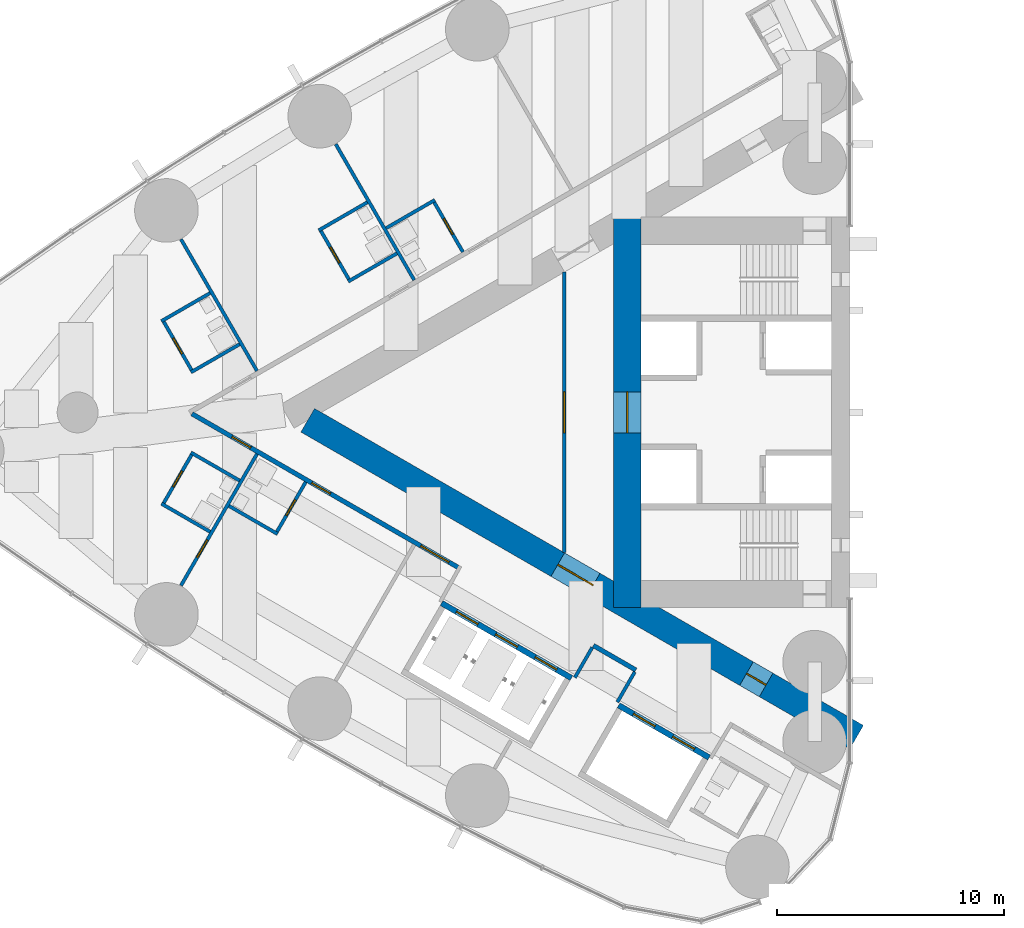
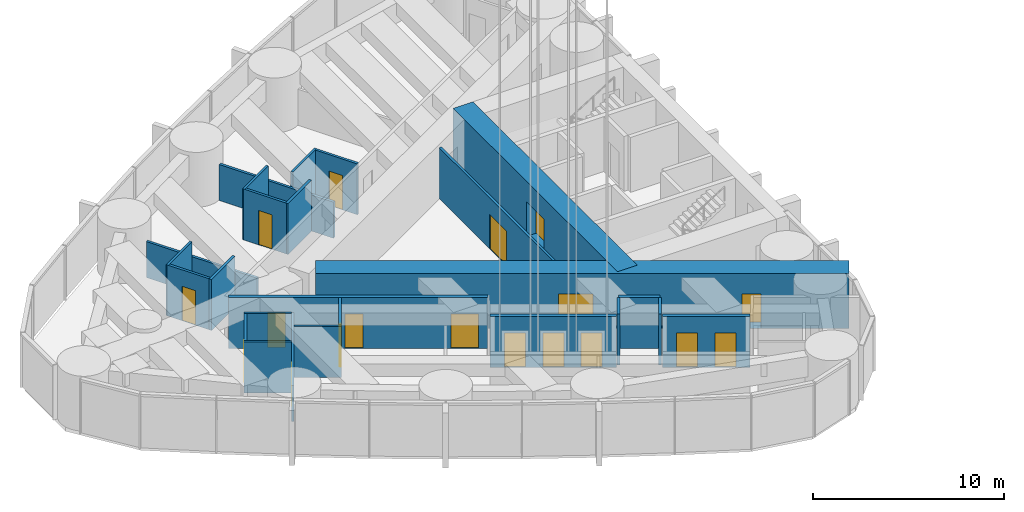
# One storey, part 12 of 21: 25 walls, 18 doors, 18 openings.
"""IFC4 building model written with IfcOpenShell, lengths in metres."""

from ifc_helpers import new_model, si_unit, direction, frame, frame_2d, origin, place, context, subcontext, project, spatial, rectangle, extrude, material, layer, layer_set, type_object, element, fill, save


model = new_model("IFC4")

# Units and contexts
model_context = context("Model", 3, precision=1e-05, world=origin(), true_north=direction((0.0, 1.0)))
body_context = subcontext(model_context, "Body", "Model", "MODEL_VIEW")
ifc_project = project(units=[si_unit("LENGTHUNIT", "METRE"), si_unit("AREAUNIT", "SQUARE_METRE"), si_unit("VOLUMEUNIT", "CUBIC_METRE"), si_unit("PLANEANGLEUNIT", "RADIAN"), si_unit("MASSUNIT", "GRAM", prefix="KILO")], contexts=[model_context])

# Site, building, storey
site_placement = place(None, origin())
site = spatial("IfcSite", under=ifc_project, at=site_placement, CompositionType="ELEMENT")
building_placement = place(site_placement, origin())
building = spatial("IfcBuilding", under=site, at=building_placement, Name="Lancet Gate Hotel", CompositionType="ELEMENT")
storey_placement = place(building_placement, frame((0.0, 0.0, 156.300048828125)))
storey = spatial("IfcBuildingStorey", under=building, at=storey_placement, Name="L41", CompositionType="ELEMENT", Elevation=156.300048828125)

# Wall
ifc_material_1 = material(Name="Moisture resistant board partition")
ifc_layer_1 = layer(ifc_material_1, 0.14990234375)
ifc_layer_set_1 = layer_set([ifc_layer_1], Name="Bathroom wall 150")
wall_type_1 = type_object("IfcWallType", Name="Bathroom wall 150", PredefinedType="PARTITIONING", material=ifc_layer_set_1)
wall_1_placement = place(storey_placement, frame((-45.7705078125, 9.351806640625, 0.0), z_axis=(0.0, 0.0, 1.0), x_axis=(-0.866006523861, -0.500032699561, 0.0)))
element("IfcWall", 1, at=wall_1_placement, inside=storey, type_object=wall_type_1, Name="T1 bathroom wall 150 L41", PredefinedType="PARTITIONING", context=body_context, shape_type="SweptSolid", body=[
    extrude(rectangle(XDim=2.474853515625, YDim=0.14990234375, at=frame_2d((1.2373046875, 0.0))), origin(), (0.0, 0.0, 1.0), 3.25),
])

# Wall, opening, door
wall_2_placement = place(storey_placement, frame((-44.535400390625, 7.062744140625, 0.0), z_axis=(0.0, 0.0, 1.0), x_axis=(-0.500047596559, 0.865997922154, 0.0)))
wall_2 = element("IfcWall", 2, at=wall_2_placement, inside=storey, type_object=wall_type_1, Name="T1 bathroom wall 150 L41", PredefinedType="PARTITIONING", context=body_context, shape_type="SweptSolid", body=[
    extrude(rectangle(XDim=2.599853515625, YDim=0.14990234375, at=frame_2d((1.2998046875, 0.0))), origin(), (0.0, 0.0, 1.0), 3.25),
])
opening_1_placement = place(wall_2_placement, frame((0.89990234375, 0.0, 0.0)))
opening_1 = element("IfcOpeningElement", 3, at=opening_1_placement, cuts=wall_2, Name="Opening 4102-B", PredefinedType="OPENING", context=body_context, shape_type="SweptSolid", body=[
    extrude(rectangle(XDim=0.800048828125, YDim=2.199951171875, at=frame_2d((0.39990234375, 1.10009765625))), frame((0.0, 0.0849609375, 0.0), z_axis=(0.0, -1.0, 0.0), x_axis=(1.0, 0.0, 0.0)), (0.0, 0.0, 1.0), 0.169921875),
])
ifc_material_2 = material(Name="Timber door set", Category="wood")
door_type_1 = type_object("IfcDoorType", Name="Bathroom door 800", OperationType="SINGLE_SWING_RIGHT", PredefinedType="DOOR", material=ifc_material_2)
door_1_placement = place(opening_1_placement, origin())
door_1 = element("IfcDoor", 4, at=door_1_placement, inside=storey, type_object=door_type_1, Name="4102-B", OperationType="SINGLE_SWING_RIGHT", OverallHeight=2.199951171875, OverallWidth=0.800048828125, PredefinedType="DOOR", context=body_context, shape_type="SweptSolid", body=[
    extrude(rectangle(XDim=0.800048828125, YDim=2.199951171875, at=frame_2d((0.39990234375, 1.10009765625))), frame((0.0, 0.02490234375, 0.0), z_axis=(0.0, -1.0, 0.0), x_axis=(1.0, 0.0, 0.0)), (0.0, 0.0, 1.0), 0.050048828125),
])
fill(opening_1, door_1)

# Wall
wall_3_placement = place(storey_placement, frame((-48.743896484375, 9.251708984375, 0.0), z_axis=(0.0, 0.0, 1.0), x_axis=(-0.866006523861, -0.500032699561, 0.0)))
element("IfcWall", 5, at=wall_3_placement, inside=storey, type_object=wall_type_1, Name="T1 bathroom wall 150 L41", PredefinedType="PARTITIONING", context=body_context, shape_type="SweptSolid", body=[
    extrude(rectangle(XDim=2.474853515625, YDim=0.14990234375, at=frame_2d((1.2373046875, 0.0))), origin(), (0.0, 0.0, 1.0), 3.25),
])

# Wall, opening, door
wall_4_placement = place(storey_placement, frame((-49.522216796875, 5.800048828125, 0.0), z_axis=(0.0, 0.0, 1.0), x_axis=(-0.500006934395, 0.866021400173, 0.0)))
wall_4 = element("IfcWall", 6, at=wall_4_placement, inside=storey, type_object=wall_type_1, Name="T1 bathroom wall 150 L41", PredefinedType="PARTITIONING", context=body_context, shape_type="SweptSolid", body=[
    extrude(rectangle(XDim=2.60009765625, YDim=0.14990234375, at=frame_2d((1.300048828125, 0.0))), origin(), (0.0, 0.0, 1.0), 3.25),
])
opening_2_placement = place(wall_4_placement, frame((0.89990234375, 0.0, 0.0)))
opening_2 = element("IfcOpeningElement", 7, at=opening_2_placement, cuts=wall_4, Name="Opening 4103-B", PredefinedType="OPENING", context=body_context, shape_type="SweptSolid", body=[
    extrude(rectangle(XDim=0.800048828125, YDim=2.199951171875, at=frame_2d((0.39990234375, 1.10009765625))), frame((0.0, 0.0849609375, 0.0), z_axis=(0.0, -1.0, 0.0), x_axis=(1.0, 0.0, 0.0)), (0.0, 0.0, 1.0), 0.169921875),
])
door_2_placement = place(opening_2_placement, origin())
door_2 = element("IfcDoor", 8, at=door_2_placement, inside=storey, type_object=door_type_1, Name="4103-B", OperationType="SINGLE_SWING_RIGHT", OverallHeight=2.199951171875, OverallWidth=0.800048828125, PredefinedType="DOOR", context=body_context, shape_type="SweptSolid", body=[
    extrude(rectangle(XDim=0.800048828125, YDim=2.199951171875, at=frame_2d((0.39990234375, 1.10009765625))), frame((0.0, 0.02490234375, 0.0), z_axis=(0.0, -1.0, 0.0), x_axis=(1.0, 0.0, 0.0)), (0.0, 0.0, 1.0), 0.050048828125),
])
fill(opening_2, door_2)

# Walls
for number, where, z_axis, x_axis, name in (
    (9, (-47.44384765625, 7.0, 0.0), (0.0, 0.0, 1.0), (-0.866006523861, -0.500032699561, 0.0), "T1 bathroom wall 150 L41"),
    (10, (-55.6669921875, 5.254638671875, 0.0), (0.0, 0.0, 1.0), (-0.866006523861, -0.500032699561, 0.0), "T1 bathroom wall 150 L41"),
):
    element("IfcWall", number, at=place(storey_placement, frame(where, z_axis=z_axis, x_axis=x_axis)), inside=storey, type_object=wall_type_1, Name=name, PredefinedType="PARTITIONING", context=body_context, shape_type="SweptSolid", body=[
        extrude(rectangle(XDim=2.474853515625, YDim=0.14990234375, at=frame_2d((1.2373046875, 0.0))), origin(), (0.0, 0.0, 1.0), 3.25),
    ])

# Wall, opening, door
wall_5_placement = place(storey_placement, frame((-56.445556640625, 1.802978515625, 0.0), z_axis=(0.0, 0.0, 1.0), x_axis=(-0.499936506574, 0.866062058628, 0.0)))
wall_5 = element("IfcWall", 11, at=wall_5_placement, inside=storey, type_object=wall_type_1, Name="T1 bathroom wall 150 L41", PredefinedType="PARTITIONING", context=body_context, shape_type="SweptSolid", body=[
    extrude(rectangle(XDim=2.599853515625, YDim=0.14990234375, at=frame_2d((1.2998046875, 0.0))), origin(), (0.0, 0.0, 1.0), 3.25),
])
opening_3_placement = place(wall_5_placement, frame((0.89990234375, 0.0, 0.0)))
opening_3 = element("IfcOpeningElement", 12, at=opening_3_placement, cuts=wall_5, Name="Opening 4104-B", PredefinedType="OPENING", context=body_context, shape_type="SweptSolid", body=[
    extrude(rectangle(XDim=0.800048828125, YDim=2.199951171875, at=frame_2d((0.39990234375, 1.10009765625))), frame((0.0, 0.0849609375, 0.0), z_axis=(0.0, -1.0, 0.0), x_axis=(1.0, 0.0, 0.0)), (0.0, 0.0, 1.0), 0.169921875),
])
door_3_placement = place(opening_3_placement, origin())
door_3 = element("IfcDoor", 13, at=door_3_placement, inside=storey, type_object=door_type_1, Name="4104-B", OperationType="SINGLE_SWING_RIGHT", OverallHeight=2.199951171875, OverallWidth=0.800048828125, PredefinedType="DOOR", context=body_context, shape_type="SweptSolid", body=[
    extrude(rectangle(XDim=0.800048828125, YDim=2.199951171875, at=frame_2d((0.39990234375, 1.10009765625))), frame((0.0, 0.02490234375, 0.0), z_axis=(0.0, -1.0, 0.0), x_axis=(1.0, 0.0, 0.0)), (0.0, 0.0, 1.0), 0.050048828125),
])
fill(opening_3, door_3)

# Walls
wall_6_placement = place(storey_placement, frame((-54.366943359375, 3.0029296875, 0.0), z_axis=(0.0, 0.0, 1.0), x_axis=(-0.866031185235, -0.4999899861, 0.0)))
element("IfcWall", 14, at=wall_6_placement, inside=storey, type_object=wall_type_1, Name="T1 bathroom wall 150 L41", PredefinedType="PARTITIONING", context=body_context, shape_type="SweptSolid", body=[
    extrude(rectangle(XDim=2.47509765625, YDim=0.14990234375, at=frame_2d((1.237548828125, 0.0))), origin(), (0.0, 0.0, 1.0), 3.25),
])
wall_7_placement = place(storey_placement, frame((-55.6669921875, -5.254638671875, 0.0), z_axis=(0.0, 0.0, 1.0), x_axis=(-0.866006523861, 0.500032699561, 0.0)))
element("IfcWall", 15, at=wall_7_placement, inside=storey, type_object=wall_type_1, Name="T1 bathroom wall 150 L41", PredefinedType="PARTITIONING", context=body_context, shape_type="SweptSolid", body=[
    extrude(rectangle(XDim=2.474853515625, YDim=0.14990234375, at=frame_2d((1.2373046875, 0.0))), origin(), (0.0, 0.0, 1.0), 3.25),
])

# Wall, opening, door
wall_8_placement = place(storey_placement, frame((-56.445556640625, -1.802978515625, 0.0), z_axis=(0.0, 0.0, 1.0), x_axis=(-0.499936506574, -0.866062058628, 0.0)))
wall_8 = element("IfcWall", 16, at=wall_8_placement, inside=storey, type_object=wall_type_1, Name="T1 bathroom wall 150 L41", PredefinedType="PARTITIONING", context=body_context, shape_type="SweptSolid", body=[
    extrude(rectangle(XDim=2.599853515625, YDim=0.14990234375, at=frame_2d((1.2998046875, 0.0))), origin(), (0.0, 0.0, 1.0), 3.25),
])
opening_4_placement = place(wall_8_placement, frame((0.89990234375, 0.0, 0.0)))
opening_4 = element("IfcOpeningElement", 17, at=opening_4_placement, cuts=wall_8, Name="Opening 4105-B", PredefinedType="OPENING", context=body_context, shape_type="SweptSolid", body=[
    extrude(rectangle(XDim=0.800048828125, YDim=2.199951171875, at=frame_2d((0.39990234375, 1.10009765625))), frame((0.0, 0.0849609375, 0.0), z_axis=(0.0, -1.0, 0.0), x_axis=(1.0, 0.0, 0.0)), (0.0, 0.0, 1.0), 0.169921875),
])
door_4_placement = place(opening_4_placement, origin())
door_4 = element("IfcDoor", 18, at=door_4_placement, inside=storey, type_object=door_type_1, Name="4105-B", OperationType="SINGLE_SWING_RIGHT", OverallHeight=2.199951171875, OverallWidth=0.800048828125, PredefinedType="DOOR", context=body_context, shape_type="SweptSolid", body=[
    extrude(rectangle(XDim=0.800048828125, YDim=2.199951171875, at=frame_2d((0.39990234375, 1.10009765625))), frame((0.0, 0.02490234375, 0.0), z_axis=(0.0, -1.0, 0.0), x_axis=(1.0, 0.0, 0.0)), (0.0, 0.0, 1.0), 0.050048828125),
])
fill(opening_4, door_4)

# Walls
for number, where, z_axis, x_axis, name in (
    (19, (-54.366943359375, -3.0029296875, 0.0), (0.0, 0.0, 1.0), (-0.866031185235, 0.4999899861, 0.0), "T1 bathroom wall 150 L41"),
    (20, (-52.693603515625, -5.354736328125, 0.0), (0.0, 0.0, 1.0), (-0.866031185235, 0.4999899861, 0.0), "T1 bathroom wall 150 L41"),
):
    element("IfcWall", number, at=place(storey_placement, frame(where, z_axis=z_axis, x_axis=x_axis)), inside=storey, type_object=wall_type_1, Name=name, PredefinedType="PARTITIONING", context=body_context, shape_type="SweptSolid", body=[
        extrude(rectangle(XDim=2.47509765625, YDim=0.14990234375, at=frame_2d((1.237548828125, 0.0))), origin(), (0.0, 0.0, 1.0), 3.25),
    ])

# Wall, opening, door
wall_9_placement = place(storey_placement, frame((-51.458740234375, -3.0654296875, 0.0), z_axis=(0.0, 0.0, 1.0), x_axis=(-0.499936506574, -0.866062058628, 0.0)))
wall_9 = element("IfcWall", 21, at=wall_9_placement, inside=storey, type_object=wall_type_1, Name="T1 bathroom wall 150 L41", PredefinedType="PARTITIONING", context=body_context, shape_type="SweptSolid", body=[
    extrude(rectangle(XDim=2.599853515625, YDim=0.14990234375, at=frame_2d((1.2998046875, 0.0))), origin(), (0.0, 0.0, 1.0), 3.25),
])
opening_5_placement = place(wall_9_placement, frame((0.89990234375, 0.0, 0.0)))
opening_5 = element("IfcOpeningElement", 22, at=opening_5_placement, cuts=wall_9, Name="Opening 4106-B", PredefinedType="OPENING", context=body_context, shape_type="SweptSolid", body=[
    extrude(rectangle(XDim=0.800048828125, YDim=2.199951171875, at=frame_2d((0.39990234375, 1.10009765625))), frame((0.0, 0.0849609375, 0.0), z_axis=(0.0, -1.0, 0.0), x_axis=(1.0, 0.0, 0.0)), (0.0, 0.0, 1.0), 0.169921875),
])
door_5_placement = place(opening_5_placement, origin())
door_5 = element("IfcDoor", 23, at=door_5_placement, inside=storey, type_object=door_type_1, Name="4106-B", OperationType="SINGLE_SWING_RIGHT", OverallHeight=2.199951171875, OverallWidth=0.800048828125, PredefinedType="DOOR", context=body_context, shape_type="SweptSolid", body=[
    extrude(rectangle(XDim=0.800048828125, YDim=2.199951171875, at=frame_2d((0.39990234375, 1.10009765625))), frame((0.0, 0.02490234375, 0.0), z_axis=(0.0, -1.0, 0.0), x_axis=(1.0, 0.0, 0.0)), (0.0, 0.0, 1.0), 0.050048828125),
])
fill(opening_5, door_5)

# Wall, openings, doors
ifc_material_3 = material(Name="Concrete C70/85", Category="concrete")
ifc_layer_2 = layer(ifc_material_3, 1.199951171875)
ifc_layer_set_2 = layer_set([ifc_layer_2], Name="Buttress wall 1200")
wall_type_2 = type_object("IfcWallType", Name="Buttress wall 1200", PredefinedType="SHEAR", material=ifc_layer_set_2)
wall_10_placement = place(storey_placement, frame((-27.199951171875, -14.300048828125, 0.0), z_axis=(0.0, 0.0, 1.0), x_axis=(-0.866024021859, 0.500002393557, 0.0)))
wall_10 = element("IfcWall", 24, at=wall_10_placement, inside=storey, type_object=wall_type_2, Name="T1 buttress wall N L41", PredefinedType="SHEAR", context=body_context, shape_type="SweptSolid", body=[
    extrude(rectangle(XDim=27.906982421875, YDim=1.199951171875, at=frame_2d((13.95361328125, 0.0))), origin(), (0.0, 0.0, 1.0), 3.5),
])
opening_6_placement = place(wall_10_placement, frame((4.60009765625, 0.0, 0.0)))
opening_6 = element("IfcOpeningElement", 25, at=opening_6_placement, cuts=wall_10, Name="Opening T1-L41-LN", PredefinedType="OPENING", context=body_context, shape_type="SweptSolid", body=[
    extrude(rectangle(XDim=1.0, YDim=2.199951171875, at=frame_2d((0.5, 1.10009765625))), frame((0.0, 0.60986328125, 0.0), z_axis=(0.0, -1.0, 0.0), x_axis=(1.0, 0.0, 0.0)), (0.0, 0.0, 1.0), 1.219970703125),
])
opening_7_placement = place(wall_10_placement, frame((13.39453125, 0.0, 0.0)))
opening_7 = element("IfcOpeningElement", 26, at=opening_7_placement, cuts=wall_10, Name="Opening T1-L41-LHN", PredefinedType="OPENING", context=body_context, shape_type="SweptSolid", body=[
    extrude(rectangle(XDim=1.800048828125, YDim=2.199951171875, at=frame_2d((0.89990234375, 1.10009765625))), frame((0.0, 0.60986328125, 0.0), z_axis=(0.0, -1.0, 0.0), x_axis=(1.0, 0.0, 0.0)), (0.0, 0.0, 1.0), 1.219970703125),
])
ifc_material_4 = material(Name="Timber door set", Category="wood")
door_type_2 = type_object("IfcDoorType", Name="Lobby double door 1800", OperationType="DOUBLE_DOOR_SINGLE_SWING", PredefinedType="DOOR", material=ifc_material_4)
door_6_placement = place(opening_7_placement, origin())
door_6 = element("IfcDoor", 27, at=door_6_placement, inside=storey, type_object=door_type_2, Name="T1-L41-LHN", OperationType="DOUBLE_DOOR_SINGLE_SWING", OverallHeight=2.199951171875, OverallWidth=1.800048828125, PredefinedType="DOOR", context=body_context, shape_type="SweptSolid", body=[
    extrude(rectangle(XDim=1.800048828125, YDim=2.199951171875, at=frame_2d((0.89990234375, 1.10009765625))), frame((0.0, 0.02490234375, 0.0), z_axis=(0.0, -1.0, 0.0), x_axis=(1.0, 0.0, 0.0)), (0.0, 0.0, 1.0), 0.050048828125),
])
fill(opening_7, door_6)
ifc_material_5 = material(Name="Timber door set", Category="wood")
door_type_3 = type_object("IfcDoorType", Name="Stair lobby door 1000", OperationType="SINGLE_SWING_LEFT", PredefinedType="DOOR", material=ifc_material_5)
door_7_placement = place(opening_6_placement, origin())
door_7 = element("IfcDoor", 28, at=door_7_placement, inside=storey, type_object=door_type_3, Name="T1-L41-LN", OperationType="SINGLE_SWING_LEFT", OverallHeight=2.199951171875, OverallWidth=1.0, PredefinedType="DOOR", context=body_context, shape_type="SweptSolid", body=[
    extrude(rectangle(XDim=1.0, YDim=2.199951171875, at=frame_2d((0.5, 1.10009765625))), frame((0.0, 0.02490234375, 0.0), z_axis=(0.0, -1.0, 0.0), x_axis=(1.0, 0.0, 0.0)), (0.0, 0.0, 1.0), 0.050048828125),
])
fill(opening_6, door_7)

# Wall, opening, door
ifc_material_6 = material(Name="Concrete C70/85", Category="concrete")
ifc_layer_3 = layer(ifc_material_6, 1.199951171875)
ifc_layer_set_3 = layer_set([ifc_layer_3], Name="Core wall 1200")
wall_type_3 = type_object("IfcWallType", Name="Core wall 1200", PredefinedType="SHEAR", material=ifc_layer_set_3)
wall_11_placement = place(storey_placement, frame((-37.300048828125, 8.60009765625, 0.0), z_axis=(0.0, 0.0, 1.0), x_axis=(0.0, -1.0, 0.0)))
wall_11 = element("IfcWall", 29, at=wall_11_placement, inside=storey, type_object=wall_type_3, Name="T1 core wall back L41", PredefinedType="SHEAR", context=body_context, shape_type="SweptSolid", body=[
    extrude(rectangle(XDim=17.2001953125, YDim=1.199951171875, at=frame_2d((8.60009765625, 0.0))), origin(), (0.0, 0.0, 1.0), 3.5),
])
opening_8_placement = place(wall_11_placement, frame((7.699951171875, 0.0, 0.0)))
opening_8 = element("IfcOpeningElement", 30, at=opening_8_placement, cuts=wall_11, Name="Opening T1-L41-LL", PredefinedType="OPENING", context=body_context, shape_type="SweptSolid", body=[
    extrude(rectangle(XDim=1.800048828125, YDim=2.199951171875, at=frame_2d((0.89990234375, 1.10009765625))), frame((0.0, 0.60986328125, 0.0), z_axis=(0.0, -1.0, 0.0), x_axis=(1.0, 0.0, 0.0)), (0.0, 0.0, 1.0), 1.219970703125),
])
door_8_placement = place(opening_8_placement, origin())
door_8 = element("IfcDoor", 31, at=door_8_placement, inside=storey, type_object=door_type_2, Name="T1-L41-LL", OperationType="DOUBLE_DOOR_SINGLE_SWING", OverallHeight=2.199951171875, OverallWidth=1.800048828125, PredefinedType="DOOR", context=body_context, shape_type="SweptSolid", body=[
    extrude(rectangle(XDim=1.800048828125, YDim=2.199951171875, at=frame_2d((0.89990234375, 1.10009765625))), frame((0.0, 0.02490234375, 0.0), z_axis=(0.0, -1.0, 0.0), x_axis=(1.0, 0.0, 0.0)), (0.0, 0.0, 1.0), 0.050048828125),
])
fill(opening_8, door_8)

# Wall
ifc_material_7 = material(Name="Gypsum board partition")
ifc_layer_4 = layer(ifc_material_7, 0.199951171875)
ifc_layer_set_4 = layer_set([ifc_layer_4], Name="Corridor wall 200")
wall_type_4 = type_object("IfcWallType", Name="Corridor wall 200", PredefinedType="PARTITIONING", material=ifc_layer_set_4)
wall_12_placement = place(storey_placement, frame((-36.920166015625, -11.34375, 0.0), z_axis=(0.0, 0.0, 1.0), x_axis=(-0.866065156741, 0.499931139538, 0.0)))
element("IfcWall", 32, at=wall_12_placement, inside=storey, type_object=wall_type_4, Name="T1 corridor wall 200 L41", PredefinedType="PARTITIONING", context=body_context, shape_type="SweptSolid", body=[
    extrude(rectangle(XDim=2.160400390625, YDim=0.199951171875, at=frame_2d((1.080078125, 0.0))), origin(), (0.0, 0.0, 1.0), 3.25),
])

# Wall, openings, doors
wall_13_placement = place(storey_placement, frame((-44.715087890625, -6.843505859375, 0.0), z_axis=(0.0, 0.0, 1.0), x_axis=(-0.866025261224, 0.500000246922, 0.0)))
wall_13 = element("IfcWall", 33, at=wall_13_placement, inside=storey, type_object=wall_type_4, Name="T1 corridor wall 200 L41", PredefinedType="PARTITIONING", context=body_context, shape_type="SweptSolid", body=[
    extrude(rectangle(XDim=13.56689453125, YDim=0.199951171875, at=frame_2d((6.783447265625, 0.0))), origin(), (0.0, 0.0, 1.0), 3.25),
])
opening_9_placement = place(wall_13_placement, frame((10.5791015625, 0.0, 0.0)))
opening_9 = element("IfcOpeningElement", 34, at=opening_9_placement, cuts=wall_13, Name="Opening 4105-E", PredefinedType="OPENING", context=body_context, shape_type="SweptSolid", body=[
    extrude(rectangle(XDim=0.949951171875, YDim=2.199951171875, at=frame_2d((0.47509765625, 1.10009765625))), frame((0.0, 0.10986328125, 0.0), z_axis=(0.0, -1.0, 0.0), x_axis=(1.0, 0.0, 0.0)), (0.0, 0.0, 1.0), 0.219970703125),
])
opening_10_placement = place(wall_13_placement, frame((6.529052734375, 0.0, 0.0)))
opening_10 = element("IfcOpeningElement", 35, at=opening_10_placement, cuts=wall_13, Name="Opening 4106-E", PredefinedType="OPENING", context=body_context, shape_type="SweptSolid", body=[
    extrude(rectangle(XDim=0.949951171875, YDim=2.199951171875, at=frame_2d((0.47509765625, 1.10009765625))), frame((0.0, 0.10986328125, 0.0), z_axis=(0.0, -1.0, 0.0), x_axis=(1.0, 0.0, 0.0)), (0.0, 0.0, 1.0), 0.219970703125),
])
opening_11_placement = place(wall_13_placement, frame((0.5, 0.0, 0.0)))
opening_11 = element("IfcOpeningElement", 36, at=opening_11_placement, cuts=wall_13, Name="Opening T1-L41-LO1", PredefinedType="OPENING", context=body_context, shape_type="SweptSolid", body=[
    extrude(rectangle(XDim=1.43505859375, YDim=2.199951171875, at=frame_2d((0.717529296875, 1.10009765625))), frame((0.0, 0.10986328125, 0.0), z_axis=(0.0, -1.0, 0.0), x_axis=(1.0, 0.0, 0.0)), (0.0, 0.0, 1.0), 0.219970703125),
])
ifc_material_8 = material(Name="Timber door set", Category="wood")
door_type_4 = type_object("IfcDoorType", Name="Guest room entry door 950", OperationType="SINGLE_SWING_LEFT", PredefinedType="DOOR", material=ifc_material_8)
door_9_placement = place(opening_9_placement, origin())
door_9 = element("IfcDoor", 37, at=door_9_placement, inside=storey, type_object=door_type_4, Name="4105-E", OperationType="SINGLE_SWING_LEFT", OverallHeight=2.199951171875, OverallWidth=0.949951171875, PredefinedType="DOOR", context=body_context, shape_type="SweptSolid", body=[
    extrude(rectangle(XDim=0.949951171875, YDim=2.199951171875, at=frame_2d((0.47509765625, 1.10009765625))), frame((0.0, 0.02490234375, 0.0), z_axis=(0.0, -1.0, 0.0), x_axis=(1.0, 0.0, 0.0)), (0.0, 0.0, 1.0), 0.050048828125),
])
fill(opening_9, door_9)
door_10_placement = place(opening_10_placement, origin())
door_10 = element("IfcDoor", 38, at=door_10_placement, inside=storey, type_object=door_type_4, Name="4106-E", OperationType="SINGLE_SWING_LEFT", OverallHeight=2.199951171875, OverallWidth=0.949951171875, PredefinedType="DOOR", context=body_context, shape_type="SweptSolid", body=[
    extrude(rectangle(XDim=0.949951171875, YDim=2.199951171875, at=frame_2d((0.47509765625, 1.10009765625))), frame((0.0, 0.02490234375, 0.0), z_axis=(0.0, -1.0, 0.0), x_axis=(1.0, 0.0, 0.0)), (0.0, 0.0, 1.0), 0.050048828125),
])
fill(opening_10, door_10)
door_11_placement = place(opening_11_placement, origin())
door_11 = element("IfcDoor", 39, at=door_11_placement, inside=storey, type_object=door_type_4, Name="T1-L41-LO1", OperationType="SINGLE_SWING_LEFT", OverallHeight=2.199951171875, OverallWidth=1.43505859375, PredefinedType="DOOR", context=body_context, shape_type="SweptSolid", body=[
    extrude(rectangle(XDim=1.43505859375, YDim=2.199951171875, at=frame_2d((0.717529296875, 1.10009765625))), frame((0.0, 0.02490234375, 0.0), z_axis=(0.0, -1.0, 0.0), x_axis=(1.0, 0.0, 0.0)), (0.0, 0.0, 1.0), 0.050048828125),
])
fill(opening_11, door_11)

ifc_material_9 = material(Name="Gypsum board partition")
ifc_layer_5 = layer(ifc_material_9, 0.25)
ifc_layer_set_5 = layer_set([ifc_layer_5], Name="Lift shaft partition 250")
wall_type_5 = type_object("IfcWallType", Name="Lift shaft partition 250", PredefinedType="PARTITIONING", material=ifc_layer_set_5)
wall_14_placement = place(storey_placement, frame((-33.695556640625, -15.197265625, 0.0), z_axis=(0.0, 0.0, 1.0), x_axis=(-0.865976953817, 0.500083908417, 0.0)))
wall_14 = element("IfcWall", 40, at=wall_14_placement, inside=storey, type_object=wall_type_5, Name="T1 lift shaft wall EX L41", PredefinedType="PARTITIONING", context=body_context, shape_type="SweptSolid", body=[
    extrude(rectangle(XDim=4.599365234375, YDim=0.25, at=frame_2d((2.2998046875, 0.0))), origin(), (0.0, 0.0, 1.0), 3.25),
])
opening_12_placement = place(wall_14_placement, frame((0.75, 0.0, 0.0)))
opening_12 = element("IfcOpeningElement", 41, at=opening_12_placement, cuts=wall_14, Name="Opening T1-EX1-L41", PredefinedType="OPENING", context=body_context, shape_type="SweptSolid", body=[
    extrude(rectangle(XDim=1.10009765625, YDim=2.199951171875, at=frame_2d((0.550048828125, 1.10009765625))), frame((0.0, 0.135009765625, 0.0), z_axis=(0.0, -1.0, 0.0), x_axis=(1.0, 0.0, 0.0)), (0.0, 0.0, 1.0), 0.27001953125),
])
opening_13_placement = place(wall_14_placement, frame((2.75, 0.0, 0.0)))
opening_13 = element("IfcOpeningElement", 42, at=opening_13_placement, cuts=wall_14, Name="Opening T1-EX2-L41", PredefinedType="OPENING", context=body_context, shape_type="SweptSolid", body=[
    extrude(rectangle(XDim=1.10009765625, YDim=2.199951171875, at=frame_2d((0.550048828125, 1.10009765625))), frame((0.0, 0.135009765625, 0.0), z_axis=(0.0, -1.0, 0.0), x_axis=(1.0, 0.0, 0.0)), (0.0, 0.0, 1.0), 0.27001953125),
])
ifc_material_10 = material(Name="Steel door set", Category="steel")
door_type_5 = type_object("IfcDoorType", Name="Lift landing door 1100", OperationType="DOUBLE_DOOR_SLIDING", PredefinedType="USERDEFINED", material=ifc_material_10)
door_12_placement = place(opening_12_placement, origin())
door_12 = element("IfcDoor", 43, at=door_12_placement, inside=storey, type_object=door_type_5, Name="T1-EX1-L41", ObjectType="LIFT LANDING DOOR", OperationType="DOUBLE_DOOR_SLIDING", OverallHeight=2.199951171875, OverallWidth=1.10009765625, PredefinedType="USERDEFINED", context=body_context, shape_type="SweptSolid", body=[
    extrude(rectangle(XDim=1.10009765625, YDim=2.199951171875, at=frame_2d((0.550048828125, 1.10009765625))), frame((0.0, 0.02490234375, 0.0), z_axis=(0.0, -1.0, 0.0), x_axis=(1.0, 0.0, 0.0)), (0.0, 0.0, 1.0), 0.050048828125),
])
fill(opening_12, door_12)
door_13_placement = place(opening_13_placement, origin())
door_13 = element("IfcDoor", 44, at=door_13_placement, inside=storey, type_object=door_type_5, Name="T1-EX2-L41", ObjectType="LIFT LANDING DOOR", OperationType="DOUBLE_DOOR_SLIDING", OverallHeight=2.199951171875, OverallWidth=1.10009765625, PredefinedType="USERDEFINED", context=body_context, shape_type="SweptSolid", body=[
    extrude(rectangle(XDim=1.10009765625, YDim=2.199951171875, at=frame_2d((0.550048828125, 1.10009765625))), frame((0.0, 0.02490234375, 0.0), z_axis=(0.0, -1.0, 0.0), x_axis=(1.0, 0.0, 0.0)), (0.0, 0.0, 1.0), 0.050048828125),
])
fill(opening_13, door_13)

wall_15_placement = place(storey_placement, frame((-39.757568359375, -11.697265625, 0.0), z_axis=(0.0, 0.0, 1.0), x_axis=(-0.866024194504, 0.500002094529, 0.0)))
wall_15 = element("IfcWall", 45, at=wall_15_placement, inside=storey, type_object=wall_type_5, Name="T1 lift shaft wall HL L41", PredefinedType="PARTITIONING", context=body_context, shape_type="SweptSolid", body=[
    extrude(rectangle(XDim=6.60009765625, YDim=0.25, at=frame_2d((3.300048828125, 0.0))), origin(), (0.0, 0.0, 1.0), 3.25),
])
opening_14_placement = place(wall_15_placement, frame((0.75, 0.0, 0.0)))
opening_14 = element("IfcOpeningElement", 46, at=opening_14_placement, cuts=wall_15, Name="Opening T1-HL1-L41", PredefinedType="OPENING", context=body_context, shape_type="SweptSolid", body=[
    extrude(rectangle(XDim=1.10009765625, YDim=2.199951171875, at=frame_2d((0.550048828125, 1.10009765625))), frame((0.0, 0.135009765625, 0.0), z_axis=(0.0, -1.0, 0.0), x_axis=(1.0, 0.0, 0.0)), (0.0, 0.0, 1.0), 0.27001953125),
])
opening_15_placement = place(wall_15_placement, frame((2.75, 0.0, 0.0)))
opening_15 = element("IfcOpeningElement", 47, at=opening_15_placement, cuts=wall_15, Name="Opening T1-HL2-L41", PredefinedType="OPENING", context=body_context, shape_type="SweptSolid", body=[
    extrude(rectangle(XDim=1.10009765625, YDim=2.199951171875, at=frame_2d((0.550048828125, 1.10009765625))), frame((0.0, 0.135009765625, 0.0), z_axis=(0.0, -1.0, 0.0), x_axis=(1.0, 0.0, 0.0)), (0.0, 0.0, 1.0), 0.27001953125),
])
opening_16_placement = place(wall_15_placement, frame((4.75, 0.0, 0.0)))
opening_16 = element("IfcOpeningElement", 48, at=opening_16_placement, cuts=wall_15, Name="Opening T1-HL3-L41", PredefinedType="OPENING", context=body_context, shape_type="SweptSolid", body=[
    extrude(rectangle(XDim=1.10009765625, YDim=2.199951171875, at=frame_2d((0.550048828125, 1.10009765625))), frame((0.0, 0.135009765625, 0.0), z_axis=(0.0, -1.0, 0.0), x_axis=(1.0, 0.0, 0.0)), (0.0, 0.0, 1.0), 0.27001953125),
])
door_14_placement = place(opening_14_placement, origin())
door_14 = element("IfcDoor", 49, at=door_14_placement, inside=storey, type_object=door_type_5, Name="T1-HL1-L41", ObjectType="LIFT LANDING DOOR", OperationType="DOUBLE_DOOR_SLIDING", OverallHeight=2.199951171875, OverallWidth=1.10009765625, PredefinedType="USERDEFINED", context=body_context, shape_type="SweptSolid", body=[
    extrude(rectangle(XDim=1.10009765625, YDim=2.199951171875, at=frame_2d((0.550048828125, 1.10009765625))), frame((0.0, 0.02490234375, 0.0), z_axis=(0.0, -1.0, 0.0), x_axis=(1.0, 0.0, 0.0)), (0.0, 0.0, 1.0), 0.050048828125),
])
fill(opening_14, door_14)
door_15_placement = place(opening_15_placement, origin())
door_15 = element("IfcDoor", 50, at=door_15_placement, inside=storey, type_object=door_type_5, Name="T1-HL2-L41", ObjectType="LIFT LANDING DOOR", OperationType="DOUBLE_DOOR_SLIDING", OverallHeight=2.199951171875, OverallWidth=1.10009765625, PredefinedType="USERDEFINED", context=body_context, shape_type="SweptSolid", body=[
    extrude(rectangle(XDim=1.10009765625, YDim=2.199951171875, at=frame_2d((0.550048828125, 1.10009765625))), frame((0.0, 0.02490234375, 0.0), z_axis=(0.0, -1.0, 0.0), x_axis=(1.0, 0.0, 0.0)), (0.0, 0.0, 1.0), 0.050048828125),
])
fill(opening_15, door_15)
door_16_placement = place(opening_16_placement, origin())
door_16 = element("IfcDoor", 51, at=door_16_placement, inside=storey, type_object=door_type_5, Name="T1-HL3-L41", ObjectType="LIFT LANDING DOOR", OperationType="DOUBLE_DOOR_SLIDING", OverallHeight=2.199951171875, OverallWidth=1.10009765625, PredefinedType="USERDEFINED", context=body_context, shape_type="SweptSolid", body=[
    extrude(rectangle(XDim=1.10009765625, YDim=2.199951171875, at=frame_2d((0.550048828125, 1.10009765625))), frame((0.0, 0.02490234375, 0.0), z_axis=(0.0, -1.0, 0.0), x_axis=(1.0, 0.0, 0.0)), (0.0, 0.0, 1.0), 0.050048828125),
])
fill(opening_16, door_16)

# Walls
ifc_material_11 = material(Name="Gypsum board partition")
ifc_layer_6 = layer(ifc_material_11, 0.14990234375)
ifc_layer_set_6 = layer_set([ifc_layer_6], Name="Party wall 150")
wall_type_6 = type_object("IfcWallType", Name="Party wall 150", PredefinedType="PARTITIONING", material=ifc_layer_set_6)
wall_16_placement = place(storey_placement, frame((-46.6787109375, 5.8251953125, 0.0), z_axis=(0.0, 0.0, 1.0), x_axis=(-0.500006839597, 0.866021454905, 0.0)))
element("IfcWall", 52, at=wall_16_placement, inside=storey, type_object=wall_type_6, Name="T1 party wall 150 L41", PredefinedType="PARTITIONING", context=body_context, shape_type="SweptSolid", body=[
    extrude(rectangle(XDim=6.9111328125, YDim=0.14990234375, at=frame_2d((3.45556640625, 0.0))), origin(), (0.0, 0.0, 1.0), 2.300048828125),
])
wall_17_placement = place(storey_placement, frame((-53.60205078125, 1.828125, 0.0), z_axis=(0.0, 0.0, 1.0), x_axis=(-0.49999191814, 0.866030069798, 0.0)))
element("IfcWall", 53, at=wall_17_placement, inside=storey, type_object=wall_type_6, Name="T1 party wall 150 L41", PredefinedType="PARTITIONING", context=body_context, shape_type="SweptSolid", body=[
    extrude(rectangle(XDim=6.6923828125, YDim=0.14990234375, at=frame_2d((3.34619140625, 0.0))), origin(), (0.0, 0.0, 1.0), 2.300048828125),
])

# Wall, opening, door
wall_18_placement = place(storey_placement, frame((-53.60205078125, -1.828125, 0.0), z_axis=(0.0, 0.0, 1.0), x_axis=(-0.49999191814, -0.866030069798, 0.0)))
wall_18 = element("IfcWall", 54, at=wall_18_placement, inside=storey, type_object=wall_type_6, Name="T1 party wall 150 L41", PredefinedType="PARTITIONING", context=body_context, shape_type="SweptSolid", body=[
    extrude(rectangle(XDim=6.6923828125, YDim=0.14990234375, at=frame_2d((3.34619140625, 0.0))), origin(), (0.0, 0.0, 1.0), 2.300048828125),
])
opening_17_placement = place(wall_18_placement, frame((4.375, 0.0, 0.0)))
opening_17 = element("IfcOpeningElement", 55, at=opening_17_placement, cuts=wall_18, Name="Opening 4105C", PredefinedType="OPENING", context=body_context, shape_type="SweptSolid", body=[
    extrude(rectangle(XDim=0.89990234375, YDim=2.199951171875, at=frame_2d((0.449951171875, 1.10009765625))), frame((0.0, 0.0849609375, 0.0), z_axis=(0.0, -1.0, 0.0), x_axis=(1.0, 0.0, 0.0)), (0.0, 0.0, 1.0), 0.169921875),
])
ifc_material_12 = material(Name="Timber door set", Category="wood")
door_type_6 = type_object("IfcDoorType", Name="Connecting door 900", OperationType="SINGLE_SWING_LEFT", PredefinedType="DOOR", material=ifc_material_12)
door_17_placement = place(opening_17_placement, origin())
door_17 = element("IfcDoor", 56, at=door_17_placement, inside=storey, type_object=door_type_6, Name="4105C", OperationType="SINGLE_SWING_LEFT", OverallHeight=2.199951171875, OverallWidth=0.89990234375, PredefinedType="DOOR", context=body_context, shape_type="SweptSolid", body=[
    extrude(rectangle(XDim=0.89990234375, YDim=2.199951171875, at=frame_2d((0.449951171875, 1.10009765625))), frame((0.0, 0.02490234375, 0.0), z_axis=(0.0, -1.0, 0.0), x_axis=(1.0, 0.0, 0.0)), (0.0, 0.0, 1.0), 0.050048828125),
])
fill(opening_17, door_17)

# Walls
ifc_material_13 = material(Name="Gypsum board partition")
ifc_layer_7 = layer(ifc_material_13, 0.14990234375)
ifc_layer_set_7 = layer_set([ifc_layer_7], Name="Service room wall 150")
wall_type_7 = type_object("IfcWallType", Name="Service room wall 150", PredefinedType="PARTITIONING", material=ifc_layer_set_7)
wall_19_placement = place(storey_placement, frame((-36.97021484375, -11.430419921875, 0.0), z_axis=(0.0, 0.0, 1.0), x_axis=(-0.499985008713, -0.866034058835, 0.0)))
element("IfcWall", 57, at=wall_19_placement, inside=storey, type_object=wall_type_7, Name="T1 service room wall 150 L41", PredefinedType="PARTITIONING", context=body_context, shape_type="SweptSolid", body=[
    extrude(rectangle(XDim=1.529296875, YDim=0.14990234375, at=frame_2d((0.7646484375, 0.0))), origin(), (0.0, 0.0, 1.0), 3.25),
])
wall_20_placement = place(storey_placement, frame((-38.84130859375, -10.35009765625, 0.0), z_axis=(0.0, 0.0, 1.0), x_axis=(-0.499966498333, -0.866044745117, 0.0)))
element("IfcWall", 58, at=wall_20_placement, inside=storey, type_object=wall_type_7, Name="T1 service room wall 150 L41", PredefinedType="PARTITIONING", context=body_context, shape_type="SweptSolid", body=[
    extrude(rectangle(XDim=1.52978515625, YDim=0.14990234375, at=frame_2d((0.764892578125, 0.0))), origin(), (0.0, 0.0, 1.0), 3.25),
])

# Wall, opening, door
wall_21_placement = place(storey_placement, frame((-40.074951171875, 6.173828125, 0.0), z_axis=(0.0, 0.0, 1.0), x_axis=(0.0, -1.0, 0.0)))
wall_21 = element("IfcWall", 59, at=wall_21_placement, inside=storey, type_object=wall_type_7, Name="T1 service room wall 150 L41", PredefinedType="PARTITIONING", context=body_context, shape_type="SweptSolid", body=[
    extrude(rectangle(XDim=12.34765625, YDim=0.14990234375, at=frame_2d((6.173828125, 0.0))), origin(), (0.0, 0.0, 1.0), 3.25),
])
opening_18_placement = place(wall_21_placement, frame((5.273681640625, 0.0, 0.0)))
opening_18 = element("IfcOpeningElement", 60, at=opening_18_placement, cuts=wall_21, Name="Opening T1-L41-LH", PredefinedType="OPENING", context=body_context, shape_type="SweptSolid", body=[
    extrude(rectangle(XDim=1.800048828125, YDim=2.199951171875, at=frame_2d((0.89990234375, 1.10009765625))), frame((0.0, 0.0849609375, 0.0), z_axis=(0.0, -1.0, 0.0), x_axis=(1.0, 0.0, 0.0)), (0.0, 0.0, 1.0), 0.169921875),
])
door_18_placement = place(opening_18_placement, origin())
door_18 = element("IfcDoor", 61, at=door_18_placement, inside=storey, type_object=door_type_2, Name="T1-L41-LH", OperationType="DOUBLE_DOOR_SINGLE_SWING", OverallHeight=2.199951171875, OverallWidth=1.800048828125, PredefinedType="DOOR", context=body_context, shape_type="SweptSolid", body=[
    extrude(rectangle(XDim=1.800048828125, YDim=2.199951171875, at=frame_2d((0.89990234375, 1.10009765625))), frame((0.0, 0.02490234375, 0.0), z_axis=(0.0, -1.0, 0.0), x_axis=(1.0, 0.0, 0.0)), (0.0, 0.0, 1.0), 0.050048828125),
])
fill(opening_18, door_18)

save(model, "model.ifc")
